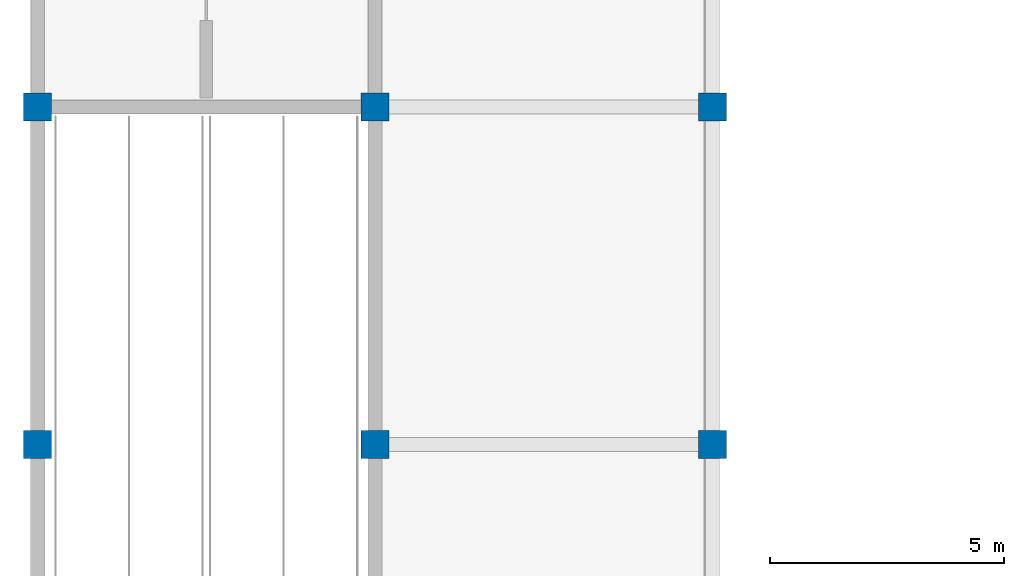
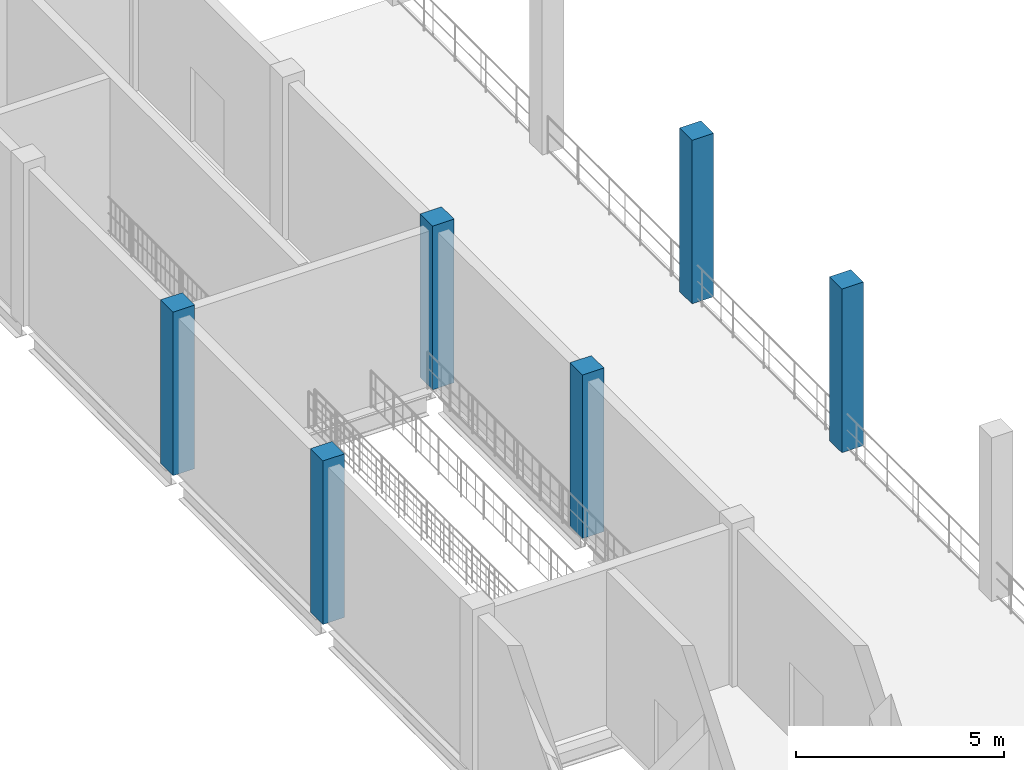
# One storey, part 2 of 120: 6 columns.
"""IFC4 building model written with IfcOpenShell, lengths in metres."""

from ifc_helpers import new_model, si_unit, direction, frame, origin, origin_2d, place, context, subcontext, project, spatial, rectangle, extrude, material, material_profile, profile_set, type_object, element, save


model = new_model("IFC4")

# Units and contexts
model_context = context("Model", 3, precision=1e-05, world=origin(), true_north=direction((0.0, 1.0)))
body_context = subcontext(model_context, "Body", "Model", "MODEL_VIEW")
ifc_project = project(units=[si_unit("LENGTHUNIT", "METRE"), si_unit("AREAUNIT", "SQUARE_METRE"), si_unit("VOLUMEUNIT", "CUBIC_METRE"), si_unit("PLANEANGLEUNIT", "RADIAN"), si_unit("MASSUNIT", "GRAM", prefix="KILO")], contexts=[model_context])

# Site, building, storey
site_placement = place(None, origin())
site = spatial("IfcSite", under=ifc_project, at=site_placement, CompositionType="ELEMENT")
building_placement = place(site_placement, origin())
building = spatial("IfcBuilding", under=site, at=building_placement, Name="Vesperath Aquatics Centre", CompositionType="ELEMENT")
storey_placement = place(building_placement, frame((0.0, 0.0, 10.199951171875)))
storey = spatial("IfcBuildingStorey", under=building, at=storey_placement, Name="L02", CompositionType="ELEMENT", Elevation=10.199951171875)

# Columns
ifc_material = material(Name="Concrete C40", Category="concrete")
ifc_material_profile = material_profile(ifc_material, rectangle(XDim=0.60009765625, YDim=0.60009765625, at=origin_2d()), Name="RC 600x600")
ifc_profile_set = profile_set([ifc_material_profile], Name="Concrete C40")
column_type = type_object("IfcColumnType", Name="CL-C06", PredefinedType="COLUMN", material=ifc_profile_set)
for number, where, z_axis, x_axis, name in (
    (1, (0.0, 50.39990234375, 0.0), (0.0, 0.0, 1.0), (1.0, 0.0, 0.0), "Column C06 L02 1/H"),
    (2, (0.0, 57.60009765625, 0.0), (0.0, 0.0, 1.0), (1.0, 0.0, 0.0), "Column C06 L02 1/J"),
    (3, (7.199951171875, 50.39990234375, 0.0), (0.0, 0.0, 1.0), (1.0, 0.0, 0.0), "Column C06 L02 2/H"),
    (4, (7.199951171875, 57.60009765625, 0.0), (0.0, 0.0, 1.0), (1.0, 0.0, 0.0), "Column C06 L02 2/J"),
    (5, (14.39990234375, 50.39990234375, 0.0), (0.0, 0.0, 1.0), (1.0, 0.0, 0.0), "Column C06 L02 3/H"),
    (6, (14.39990234375, 57.60009765625, 0.0), (0.0, 0.0, 1.0), (1.0, 0.0, 0.0), "Column C06 L02 3/J"),
):
    element("IfcColumn", number, at=place(storey_placement, frame(where, z_axis=z_axis, x_axis=x_axis)), inside=storey, type_object=column_type, Name=name, PredefinedType="COLUMN", context=body_context, shape_type="SweptSolid", body=[
        extrude(rectangle(XDim=0.60009765625, YDim=0.60009765625, at=origin_2d()), origin(), (0.0, 0.0, 1.0), 4.800048828125),
    ])

save(model, "model.ifc")
